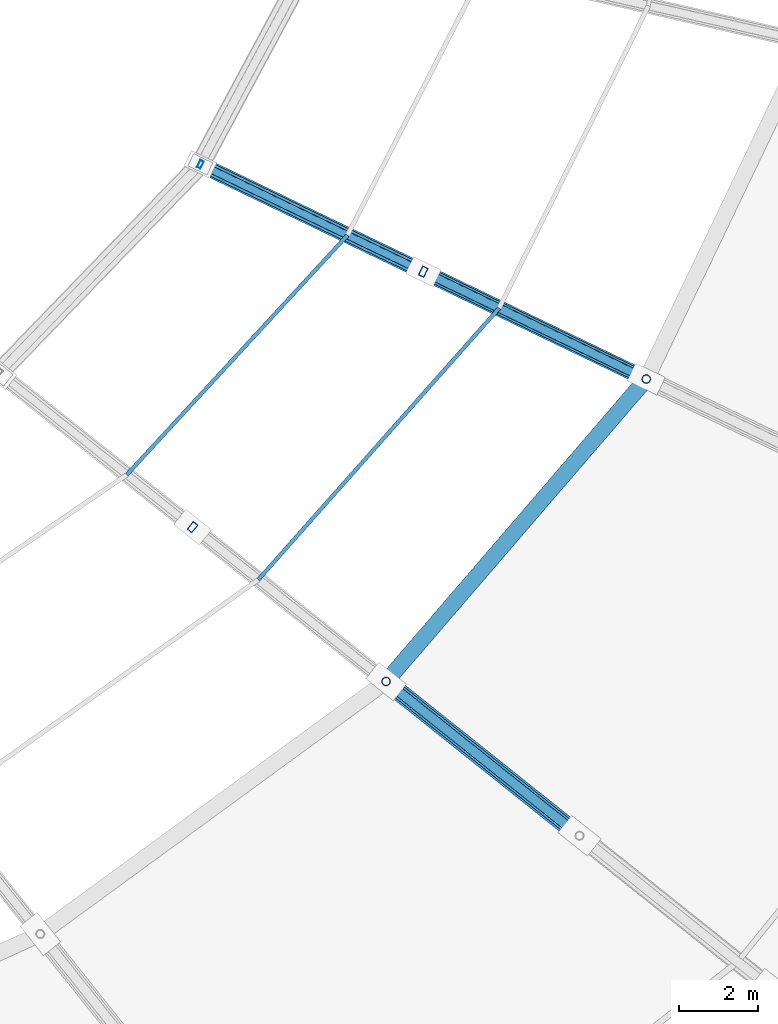
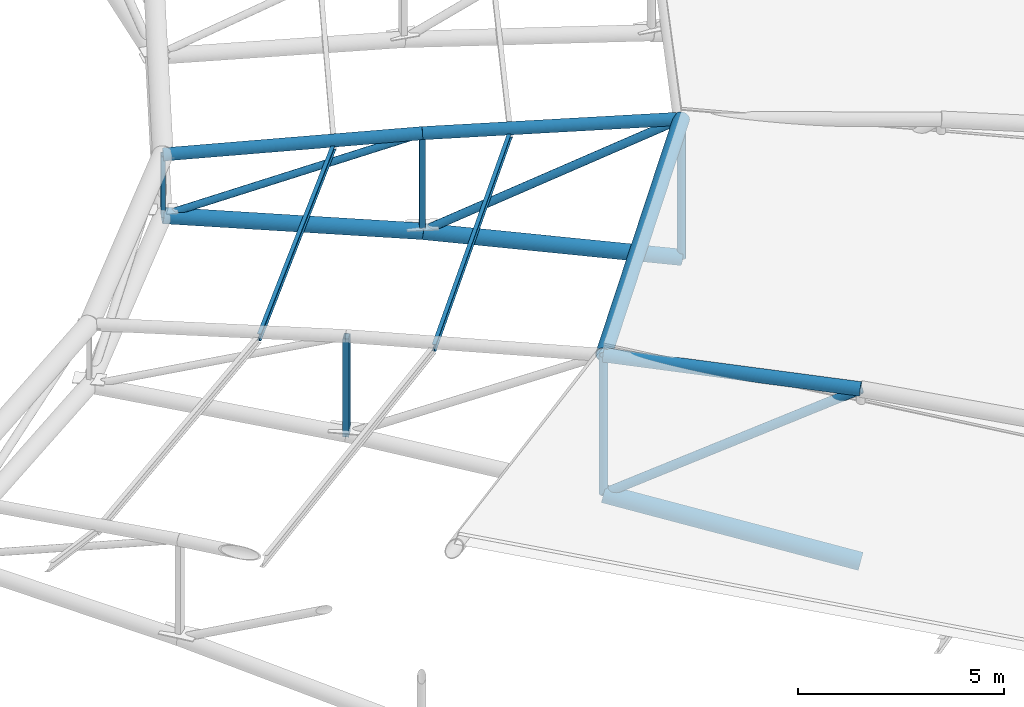
# One storey, part 65 of 108: 17 members.
"""IFC4 building model written with IfcOpenShell, lengths in metres."""

from ifc_helpers import new_model, si_unit, direction, frame, origin, origin_2d, place, context, subcontext, project, spatial, hollow_rectangle, hollow_circle, i_section, extrude, material, material_profile, profile_set, type_object, element, save


model = new_model("IFC4")

# Units and contexts
model_context = context("Model", 3, precision=1e-05, world=origin(), true_north=direction((0.0, 1.0)))
body_context = subcontext(model_context, "Body", "Model", "MODEL_VIEW")
ifc_project = project(units=[si_unit("LENGTHUNIT", "METRE"), si_unit("AREAUNIT", "SQUARE_METRE"), si_unit("VOLUMEUNIT", "CUBIC_METRE"), si_unit("PLANEANGLEUNIT", "RADIAN"), si_unit("MASSUNIT", "GRAM", prefix="KILO")], contexts=[model_context])

# Site, building, storey
site_placement = place(None, origin())
site = spatial("IfcSite", under=ifc_project, at=site_placement, CompositionType="ELEMENT")
building_placement = place(site_placement, origin())
building = spatial("IfcBuilding", under=site, at=building_placement, Name="Zevraka Park Crest Stadium", CompositionType="ELEMENT")
storey_placement = place(building_placement, frame((0.0, 0.0, 29.39990234375)))
storey = spatial("IfcBuildingStorey", under=building, at=storey_placement, Name="RF", CompositionType="ELEMENT", Elevation=29.39990234375)

# Members
ifc_material_1 = material(Name="Steel S355", Category="steel")
ifc_material_profile_1 = material_profile(ifc_material_1, i_section(OverallWidth=0.10009765625, OverallDepth=0.199951171875, WebThickness=0.005615234375, FlangeThickness=0.008544921875, at=origin_2d()), Name="IPE 200")
ifc_profile_set_1 = profile_set([ifc_material_profile_1], Name="Steel S355")
member_type_1 = type_object("IfcMemberType", Name="PR03", PredefinedType="PURLIN", material=ifc_profile_set_1)
member_1_placement = place(storey_placement, frame((152.218994140625, 69.278076171875, 9.173095703125), z_axis=(0.663562824721, 0.748120563578, 0.0), x_axis=(-0.748120563578, 0.663562824721, 0.0)))
element("IfcMember", 1, at=member_1_placement, inside=storey, type_object=member_type_1, Name="Canopy Roof Purlin PR03 INNER-26-1", PredefinedType="PURLIN", context=body_context, shape_type="SweptSolid", body=[
    extrude(i_section(OverallWidth=0.10009765625, OverallDepth=0.199951171875, WebThickness=0.005615234375, FlangeThickness=0.008544921875, at=origin_2d()), origin(), (0.0, 0.0, 1.0), 9.236328125),
])
member_2_placement = place(storey_placement, frame((148.8701171875, 71.949951171875, 9.037109375), z_axis=(0.677613259557, 0.735418432236, 0.0), x_axis=(-0.735418432236, 0.677613259557, 0.0)))
element("IfcMember", 2, at=member_2_placement, inside=storey, type_object=member_type_1, Name="Canopy Roof Purlin PR03 INNER-26-2", PredefinedType="PURLIN", context=body_context, shape_type="SweptSolid", body=[
    extrude(i_section(OverallWidth=0.10009765625, OverallDepth=0.199951171875, WebThickness=0.005615234375, FlangeThickness=0.008544921875, at=origin_2d()), origin(), (0.0, 0.0, 1.0), 8.290771484375),
])
ifc_material_2 = material(Name="Steel S355", Category="steel")
ifc_material_profile_2 = material_profile(ifc_material_2, hollow_circle(Radius=0.228515625, WallThickness=0.02490234375, at=origin_2d()), Name="CHS 457.0x25")
ifc_profile_set_2 = profile_set([ifc_material_profile_2], Name="Steel S355")
member_type_2 = type_object("IfcMemberType", Name="TC02", PredefinedType="CHORD", material=ifc_profile_set_2)
member_3_placement = place(storey_placement, frame((160.39501953125, 62.758056640625, 3.9501953125), z_axis=(-0.764449300006, 0.609687443008, 0.209519663894), x_axis=(-0.623526977414, -0.781801834506, 0.0)))
element("IfcMember", 3, at=member_3_placement, inside=storey, type_object=member_type_2, Name="Roof Truss Bottom Chord TC02 T26-5", PredefinedType="CHORD", context=body_context, shape_type="SweptSolid", body=[
    extrude(hollow_circle(Radius=0.228515625, WallThickness=0.02490234375, at=origin_2d()), origin(), (0.0, 0.0, 1.0), 6.442626953125),
])
ifc_material_3 = material(Name="Steel S355", Category="steel")
ifc_material_profile_3 = material_profile(ifc_material_3, hollow_circle(Radius=0.203125, WallThickness=0.02001953125, at=origin_2d()), Name="CHS 406.4x20")
ifc_profile_set_3 = profile_set([ifc_material_profile_3], Name="Steel S355")
member_type_3 = type_object("IfcMemberType", Name="TC03", PredefinedType="CHORD", material=ifc_profile_set_3)
member_4_placement = place(storey_placement, frame((162.093994140625, 74.384033203125, 5.300048828125), z_axis=(-0.887511721766, 0.427474569243, 0.172012895964), x_axis=(-0.433942615061, -0.900940512373, 0.0)))
element("IfcMember", 4, at=member_4_placement, inside=storey, type_object=member_type_3, Name="Roof Truss Bottom Chord TC03 T27-6", PredefinedType="CHORD", context=body_context, shape_type="SweptSolid", body=[
    extrude(hollow_circle(Radius=0.203125, WallThickness=0.02001953125, at=origin_2d()), origin(), (0.0, 0.0, 1.0), 6.3955078125),
])
member_5_placement = place(storey_placement, frame((156.41796875, 77.117919921875, 6.400146484375), z_axis=(-0.893807131385, 0.430391450637, 0.125984170052), x_axis=(-0.433848244141, -0.900985960521, 0.0)))
element("IfcMember", 5, at=member_5_placement, inside=storey, type_object=member_type_3, Name="Roof Truss Bottom Chord TC03 T27-7", PredefinedType="CHORD", context=body_context, shape_type="SweptSolid", body=[
    extrude(hollow_circle(Radius=0.203125, WallThickness=0.02001953125, at=origin_2d()), origin(), (0.0, 0.0, 1.0), 6.350341796875),
])
member_6_placement = place(storey_placement, frame((155.469970703125, 66.68603515625, 9.400146484375), z_axis=(0.652251230259, 0.758002857927, 0.0), x_axis=(-0.758002857927, 0.652251230259, 0.0)))
element("IfcMember", 6, at=member_6_placement, inside=storey, type_object=member_type_3, Name="Roof Canopy Arch Crown Ring Chord TC03 26", PredefinedType="CHORD", context=body_context, shape_type="SweptSolid", body=[
    extrude(hollow_circle(Radius=0.203125, WallThickness=0.02001953125, at=origin_2d()), origin(), (0.0, 0.0, 1.0), 10.155517578125),
])
ifc_material_4 = material(Name="Steel S355", Category="steel")
ifc_material_profile_4 = material_profile(ifc_material_4, hollow_circle(Radius=0.161865234375, WallThickness=0.01611328125, at=origin_2d()), Name="CHS 323.9x16")
ifc_profile_set_4 = profile_set([ifc_material_profile_4], Name="Steel S355")
member_type_4 = type_object("IfcMemberType", Name="TC04", PredefinedType="CHORD", material=ifc_profile_set_4)
member_7_placement = place(storey_placement, frame((162.093994140625, 74.384033203125, 9.400146484375), z_axis=(-0.900826818961, 0.433887854047, -0.015886231484), x_axis=(-0.433942615061, -0.900940512373, 0.0)))
element("IfcMember", 7, at=member_7_placement, inside=storey, type_object=member_type_4, Name="Roof Truss Top Chord TC04 T27-6", PredefinedType="CHORD", context=body_context, shape_type="SweptSolid", body=[
    extrude(hollow_circle(Radius=0.161865234375, WallThickness=0.01611328125, at=origin_2d()), origin(), (0.0, 0.0, 1.0), 6.301025390625),
])
member_8_placement = place(storey_placement, frame((156.41796875, 77.117919921875, 9.300048828125), z_axis=(-0.899965770272, 0.433356995922, -0.04757443037), x_axis=(-0.433848244141, -0.900985960521, 0.0)))
element("IfcMember", 8, at=member_8_placement, inside=storey, type_object=member_type_4, Name="Roof Truss Top Chord TC04 T27-7", PredefinedType="CHORD", context=body_context, shape_type="SweptSolid", body=[
    extrude(hollow_circle(Radius=0.161865234375, WallThickness=0.01611328125, at=origin_2d()), origin(), (0.0, 0.0, 1.0), 6.306884765625),
])
ifc_material_5 = material(Name="Steel S355", Category="steel")
ifc_material_profile_5 = material_profile(ifc_material_5, hollow_circle(Radius=0.177734375, WallThickness=0.01611328125, at=origin_2d()), Name="CHS 355.6x16")
ifc_profile_set_5 = profile_set([ifc_material_profile_5], Name="Steel S355")
member_type_5 = type_object("IfcMemberType", Name="TC05", PredefinedType="CHORD", material=ifc_profile_set_5)
member_9_placement = place(storey_placement, frame((160.39501953125, 62.758056640625, 9.050048828125), z_axis=(-0.780597317848, 0.622566313729, 0.055488849145), x_axis=(-0.623526977414, -0.781801834506, 0.0)))
element("IfcMember", 9, at=member_9_placement, inside=storey, type_object=member_type_5, Name="Roof Truss Top Chord TC05 T26-5", PredefinedType="CHORD", context=body_context, shape_type="SweptSolid", body=[
    extrude(hollow_circle(Radius=0.177734375, WallThickness=0.01611328125, at=origin_2d()), origin(), (0.0, 0.0, 1.0), 6.309326171875),
])
ifc_material_6 = material(Name="Steel S355", Category="steel")
ifc_material_profile_6 = material_profile(ifc_material_6, hollow_circle(Radius=0.109619140625, WallThickness=0.010009765625, at=origin_2d()), Name="CHS 219.1x10")
ifc_profile_set_6 = profile_set([ifc_material_profile_6], Name="Steel S355")
member_type_6 = type_object("IfcMemberType", Name="WB02", PredefinedType="BRACE", material=ifc_profile_set_6)
for number, where, z_axis, x_axis, name in (
    (10, (155.469970703125, 66.68603515625, 5.300048828125), (0.0, 0.0, 1.0), (-0.781847027868, 0.623470308046, 0.0), "Roof Truss Web Post WB02 T26-5"),
    (11, (162.093994140625, 74.384033203125, 5.300048828125), (0.0, 0.0, 1.0), (-0.90100131981, 0.43381634559, 0.0), "Roof Truss Web Post WB02 T27-5"),
):
    element("IfcMember", number, at=place(storey_placement, frame(where, z_axis=z_axis, x_axis=x_axis)), inside=storey, type_object=member_type_6, Name=name, PredefinedType="BRACE", context=body_context, shape_type="SweptSolid", body=[
        extrude(hollow_circle(Radius=0.109619140625, WallThickness=0.010009765625, at=origin_2d()), origin(), (0.0, 0.0, 1.0), 4.10009765625),
    ])
member_10_placement = place(storey_placement, frame((156.41796875, 77.117919921875, 6.400146484375), z_axis=(0.813426271688, -0.391790932529, 0.429927395866), x_axis=(0.433942615061, 0.900940512373, 0.0)))
element("IfcMember", 12, at=member_10_placement, inside=storey, type_object=member_type_6, Name="Roof Truss Web Diagonal WB02 T27-6", PredefinedType="BRACE", context=body_context, shape_type="SweptSolid", body=[
    extrude(hollow_circle(Radius=0.109619140625, WallThickness=0.010009765625, at=origin_2d()), origin(), (0.0, 0.0, 1.0), 6.97802734375),
])
ifc_material_7 = material(Name="Steel S355", Category="steel")
ifc_material_profile_7 = material_profile(ifc_material_7, hollow_rectangle(XDim=0.14990234375, YDim=0.25, WallThickness=0.010009765625, at=origin_2d()), Name="RHS 250x150x10")
ifc_profile_set_7 = profile_set([ifc_material_profile_7], Name="Steel S355")
member_type_7 = type_object("IfcMemberType", Name="WB04", PredefinedType="BRACE", material=ifc_profile_set_7)
for number, where, z_axis, x_axis, name in (
    (13, (150.5439453125, 70.614013671875, 6.400146484375), (0.0, 0.0, 1.0), (-0.781847027868, 0.623470308046, 0.0), "Roof Truss Web Post WB04 T26-6"),
    (14, (156.41796875, 77.117919921875, 6.400146484375), (0.0, 0.0, 1.0), (-0.90100131981, 0.43381634559, 0.0), "Roof Truss Web Post WB04 T27-6"),
):
    element("IfcMember", number, at=place(storey_placement, frame(where, z_axis=z_axis, x_axis=x_axis)), inside=storey, type_object=member_type_7, Name=name, PredefinedType="BRACE", context=body_context, shape_type="SweptSolid", body=[
        extrude(hollow_rectangle(XDim=0.14990234375, YDim=0.25, WallThickness=0.010009765625, at=origin_2d()), origin(), (0.0, 0.0, 1.0), 2.89990234375),
    ])
ifc_material_8 = material(Name="Steel S355", Category="steel")
ifc_material_profile_8 = material_profile(ifc_material_8, hollow_rectangle(XDim=0.10009765625, YDim=0.199951171875, WallThickness=0.008056640625, at=origin_2d()), Name="RHS 200x100x8")
ifc_profile_set_8 = profile_set([ifc_material_profile_8], Name="Steel S355")
member_type_8 = type_object("IfcMemberType", Name="WB05", PredefinedType="BRACE", material=ifc_profile_set_8)
member_11_placement = place(storey_placement, frame((150.741943359375, 79.85107421875, 7.2001953125), z_axis=(0.0, 0.0, 1.0), x_axis=(-0.90100131981, 0.43381634559, 0.0)))
element("IfcMember", 15, at=member_11_placement, inside=storey, type_object=member_type_8, Name="Roof Truss Web Post WB05 T27-7", PredefinedType="BRACE", context=body_context, shape_type="SweptSolid", body=[
    extrude(hollow_rectangle(XDim=0.10009765625, YDim=0.199951171875, WallThickness=0.008056640625, at=origin_2d()), origin(), (0.0, 0.0, 1.0), 1.7998046875),
])
ifc_material_9 = material(Name="Steel S355", Category="steel")
ifc_material_profile_9 = material_profile(ifc_material_9, hollow_circle(Radius=0.122314453125, WallThickness=0.012451171875, at=origin_2d()), Name="CHS 244.5x12.5")
ifc_profile_set_9 = profile_set([ifc_material_profile_9], Name="Steel S355")
member_type_9 = type_object("IfcMemberType", Name="WB07", PredefinedType="BRACE", material=ifc_profile_set_9)
member_12_placement = place(storey_placement, frame((155.469970703125, 66.68603515625, 5.300048828125), z_axis=(0.671785950307, -0.535783678902, 0.511507073649), x_axis=(0.623526977414, 0.781801834506, 0.0)))
element("IfcMember", 16, at=member_12_placement, inside=storey, type_object=member_type_9, Name="Roof Truss Web Diagonal WB07 T26-5", PredefinedType="BRACE", context=body_context, shape_type="SweptSolid", body=[
    extrude(hollow_circle(Radius=0.122314453125, WallThickness=0.012451171875, at=origin_2d()), origin(), (0.0, 0.0, 1.0), 7.331298828125),
])
ifc_material_10 = material(Name="Steel S355", Category="steel")
ifc_material_profile_10 = material_profile(ifc_material_10, hollow_circle(Radius=0.096923828125, WallThickness=0.010009765625, at=origin_2d()), Name="CHS 193.7x10")
ifc_profile_set_10 = profile_set([ifc_material_profile_10], Name="Steel S355")
member_type_10 = type_object("IfcMemberType", Name="WB08", PredefinedType="BRACE", material=ifc_profile_set_10)
member_13_placement = place(storey_placement, frame((150.741943359375, 79.85107421875, 7.2001953125), z_axis=(0.854753491558, -0.411586104262, 0.316217247232), x_axis=(0.433848244141, 0.900985960521, 0.0)))
element("IfcMember", 17, at=member_13_placement, inside=storey, type_object=member_type_10, Name="Roof Truss Web Diagonal WB08 T27-7", PredefinedType="BRACE", context=body_context, shape_type="SweptSolid", body=[
    extrude(hollow_circle(Radius=0.096923828125, WallThickness=0.010009765625, at=origin_2d()), origin(), (0.0, 0.0, 1.0), 6.640625),
])

save(model, "model.ifc")
